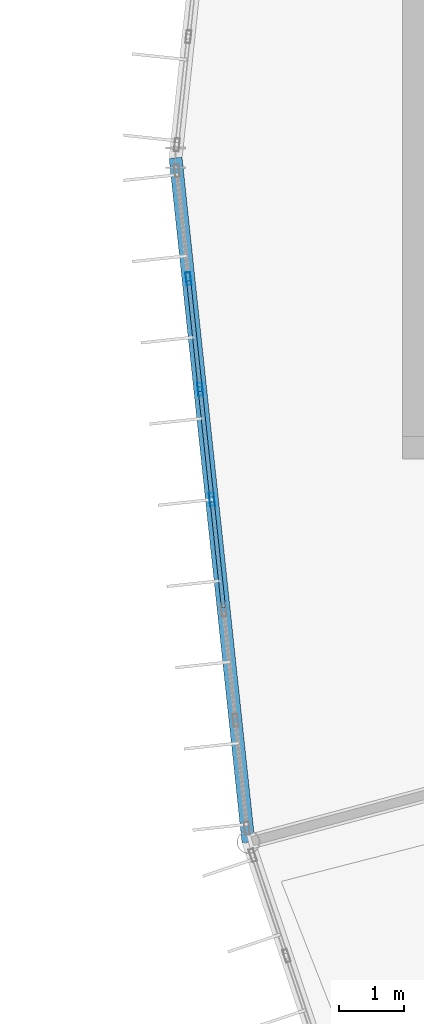
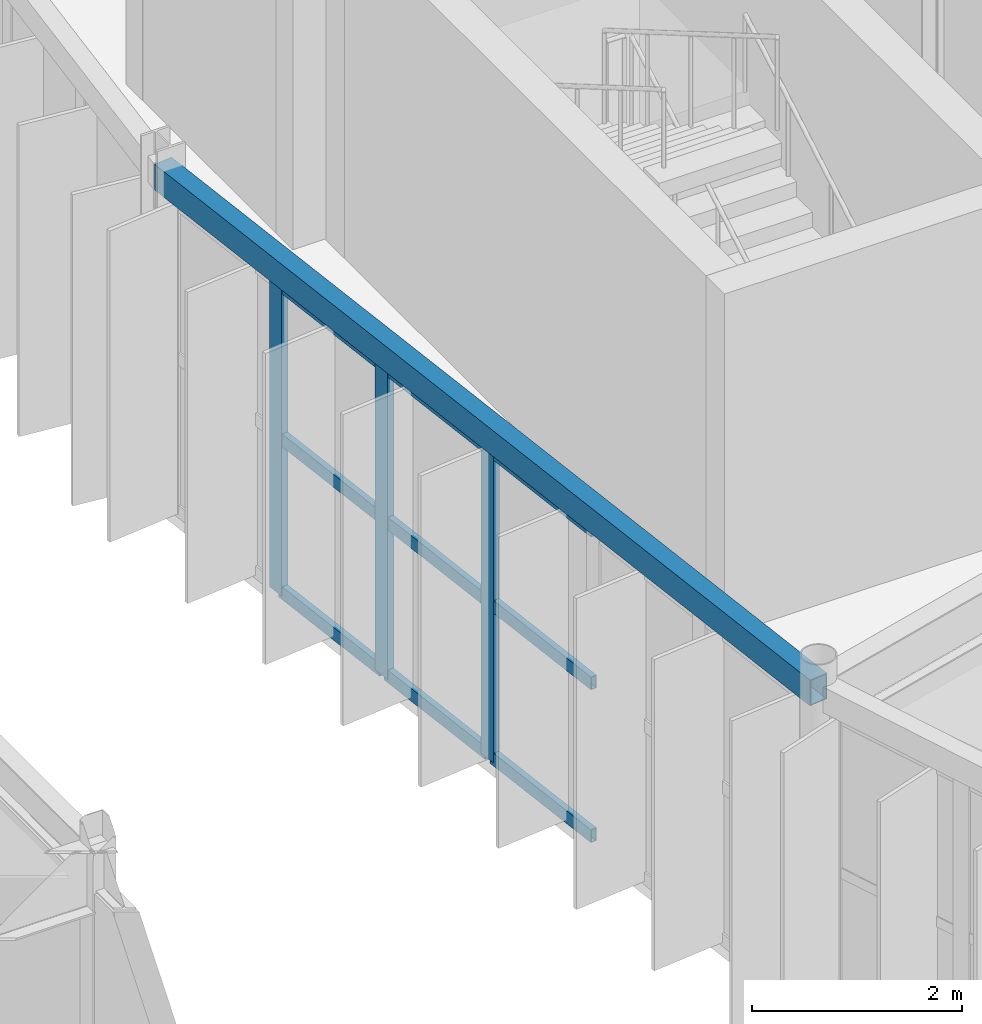
# One storey, part 43 of 148: 12 members, 1 beam, 1 element without a shape of its own.
"""IFC4 building model written with IfcOpenShell, lengths in metres."""

from ifc_helpers import new_model, si_unit, direction, frame, origin, origin_2d, place, context, subcontext, project, spatial, hollow_rectangle, extrude, material, material_profile, profile_set, type_object, element, aggregate, save


model = new_model("IFC4")

# Units and contexts
model_context = context("Model", 3, precision=1e-05, world=origin(), true_north=direction((0.0, 1.0)))
body_context = subcontext(model_context, "Body", "Model", "MODEL_VIEW")
ifc_project = project(units=[si_unit("LENGTHUNIT", "METRE"), si_unit("AREAUNIT", "SQUARE_METRE"), si_unit("VOLUMEUNIT", "CUBIC_METRE"), si_unit("PLANEANGLEUNIT", "RADIAN"), si_unit("MASSUNIT", "GRAM", prefix="KILO")], contexts=[model_context])

# Site, building, storey
site_placement = place(None, origin())
site = spatial("IfcSite", under=ifc_project, at=site_placement, CompositionType="ELEMENT")
building_placement = place(site_placement, origin())
building = spatial("IfcBuilding", under=site, at=building_placement, Name="Karori Crest Natural Sciences Institute", CompositionType="ELEMENT")
storey_placement = place(building_placement, frame((0.0, 0.0, 4.89990234375)))
storey = spatial("IfcBuildingStorey", under=building, at=storey_placement, Name="L01", CompositionType="ELEMENT", Elevation=4.89990234375)

# Beam
ifc_material_1 = material(Name="Hollow structural steel AS/NZS 1163 Grade C350", Category="steel")
ifc_material_profile_1 = material_profile(ifc_material_1, hollow_rectangle(XDim=0.199951171875, YDim=0.300048828125, WallThickness=0.010009765625, at=origin_2d()), Name="RHS300x200x10")
ifc_profile_set_1 = profile_set([ifc_material_profile_1], Name="Hollow structural steel AS/NZS 1163 Grade C350")
beam_type = type_object("IfcBeamType", Name="BT-15", PredefinedType="SPANDREL", material=ifc_profile_set_1)
beam_placement = place(storey_placement, frame((33.39990234375, 49.89990234375, 3.7900390625), z_axis=(0.105891010563, -0.994377742049, 0.0), x_axis=(0.994377742049, 0.105891010563, 0.0)))
element("IfcBeam", 1, at=beam_placement, inside=storey, type_object=beam_type, Name="Beam B-0226", PredefinedType="SPANDREL", context=body_context, shape_type="SweptSolid", body=[
    extrude(hollow_rectangle(XDim=0.199951171875, YDim=0.300048828125, WallThickness=0.010009765625, at=origin_2d()), origin(), (0.0, 0.0, 1.0), 10.61962890625),
])

# Curtain wall, members
ifc_material_2 = material(Name="Anodised architectural aluminium 6063-T6", Category="aluminium")
curtain_wall_type = type_object("IfcCurtainWallType", Name="CWT-03", PredefinedType="NOTDEFINED", material=ifc_material_2)
curtain_wall_placement = place(storey_placement, origin())
curtain_wall = element("IfcCurtainWall", 2, at=curtain_wall_placement, inside=storey, type_object=curtain_wall_type, Name="Curtain wall CW-0048", PredefinedType="NOTDEFINED")
ifc_material_profile_2 = material_profile(ifc_material_2, hollow_rectangle(XDim=0.074951171875, YDim=0.199951171875, WallThickness=0.0048828125, at=origin_2d()), Name="CWM200x75x5")
ifc_profile_set_2 = profile_set([ifc_material_profile_2], Name="Anodised architectural aluminium 6063-T6")
member_type_1 = type_object("IfcMemberType", Name="CWM-02", PredefinedType="MULLION", material=ifc_profile_set_2)
member_1_placement = place(storey_placement, frame((33.96142578125, 44.626708984375, 0.0), z_axis=(0.0, 0.0, 1.0), x_axis=(-0.994378742451, -0.105881615789, 0.0)))
member_1 = element("IfcMember", 3, at=member_1_placement, type_object=member_type_1, Name="CW-0048 mullion 4", PredefinedType="MULLION", context=body_context, shape_type="SweptSolid", body=[
    extrude(hollow_rectangle(XDim=0.074951171875, YDim=0.199951171875, WallThickness=0.0048828125, at=origin_2d()), origin(), (0.0, 0.0, 1.0), 3.625),
])
member_2_placement = place(storey_placement, frame((33.780029296875, 46.33056640625, 0.0), z_axis=(0.0, 0.0, 1.0), x_axis=(-0.994378742451, -0.105881615789, 0.0)))
member_2 = element("IfcMember", 4, at=member_2_placement, type_object=member_type_1, Name="CW-0048 mullion 5", PredefinedType="MULLION", context=body_context, shape_type="SweptSolid", body=[
    extrude(hollow_rectangle(XDim=0.074951171875, YDim=0.199951171875, WallThickness=0.0048828125, at=origin_2d()), origin(), (0.0, 0.0, 1.0), 3.625),
])
member_3_placement = place(storey_placement, frame((33.5986328125, 48.03466796875, 0.0), z_axis=(0.0, 0.0, 1.0), x_axis=(-0.994378742451, -0.105881615789, 0.0)))
member_3 = element("IfcMember", 5, at=member_3_placement, type_object=member_type_1, Name="CW-0048 mullion 6", PredefinedType="MULLION", context=body_context, shape_type="SweptSolid", body=[
    extrude(hollow_rectangle(XDim=0.074951171875, YDim=0.199951171875, WallThickness=0.0048828125, at=origin_2d()), origin(), (0.0, 0.0, 1.0), 3.625),
])
ifc_material_profile_3 = material_profile(ifc_material_2, hollow_rectangle(XDim=0.06494140625, YDim=0.14990234375, WallThickness=0.00390625, at=origin_2d()), Name="CWT150x65x4")
ifc_profile_set_3 = profile_set([ifc_material_profile_3], Name="Anodised architectural aluminium 6063-T6")
member_type_2 = type_object("IfcMemberType", Name="CWT-TR2", PredefinedType="USERDEFINED", material=ifc_profile_set_3)
member_4_placement = place(storey_placement, frame((34.138916015625, 42.960205078125, 0.03271484375), z_axis=(-0.105801729998, 0.994387245458, 0.0), x_axis=(-0.994387245458, -0.105801729998, 0.0)))
member_4 = element("IfcMember", 6, at=member_4_placement, type_object=member_type_2, Name="CW-0048 transom 3.1", ObjectType="TRANSOM", PredefinedType="USERDEFINED", context=body_context, shape_type="SweptSolid", body=[
    extrude(hollow_rectangle(XDim=0.06494140625, YDim=0.14990234375, WallThickness=0.00390625, at=origin_2d()), origin(), (0.0, 0.0, 1.0), 1.638427734375),
])
member_5_placement = place(storey_placement, frame((34.138916015625, 42.960205078125, 1.8125), z_axis=(-0.105801729998, 0.994387245458, 0.0), x_axis=(-0.994387245458, -0.105801729998, 0.0)))
member_5 = element("IfcMember", 7, at=member_5_placement, type_object=member_type_2, Name="CW-0048 transom 3.2", ObjectType="TRANSOM", PredefinedType="USERDEFINED", context=body_context, shape_type="SweptSolid", body=[
    extrude(hollow_rectangle(XDim=0.06494140625, YDim=0.14990234375, WallThickness=0.00390625, at=origin_2d()), origin(), (0.0, 0.0, 1.0), 1.638427734375),
])
member_6_placement = place(storey_placement, frame((34.138916015625, 42.960205078125, 3.592529296875), z_axis=(-0.105801729998, 0.994387245458, 0.0), x_axis=(-0.994387245458, -0.105801729998, 0.0)))
member_6 = element("IfcMember", 8, at=member_6_placement, type_object=member_type_2, Name="CW-0048 transom 3.3", ObjectType="TRANSOM", PredefinedType="USERDEFINED", context=body_context, shape_type="SweptSolid", body=[
    extrude(hollow_rectangle(XDim=0.06494140625, YDim=0.14990234375, WallThickness=0.00390625, at=origin_2d()), origin(), (0.0, 0.0, 1.0), 1.638427734375),
])
member_7_placement = place(storey_placement, frame((33.95751953125, 44.6640625, 0.03271484375), z_axis=(-0.105933378201, 0.994373229418, 0.0), x_axis=(-0.994373229418, -0.105933378201, 0.0)))
member_7 = element("IfcMember", 9, at=member_7_placement, type_object=member_type_2, Name="CW-0048 transom 4.1", ObjectType="TRANSOM", PredefinedType="USERDEFINED", context=body_context, shape_type="SweptSolid", body=[
    extrude(hollow_rectangle(XDim=0.06494140625, YDim=0.14990234375, WallThickness=0.00390625, at=origin_2d()), origin(), (0.0, 0.0, 1.0), 1.638671875),
])
member_8_placement = place(storey_placement, frame((33.95751953125, 44.6640625, 1.8125), z_axis=(-0.105933378201, 0.994373229418, 0.0), x_axis=(-0.994373229418, -0.105933378201, 0.0)))
member_8 = element("IfcMember", 10, at=member_8_placement, type_object=member_type_2, Name="CW-0048 transom 4.2", ObjectType="TRANSOM", PredefinedType="USERDEFINED", context=body_context, shape_type="SweptSolid", body=[
    extrude(hollow_rectangle(XDim=0.06494140625, YDim=0.14990234375, WallThickness=0.00390625, at=origin_2d()), origin(), (0.0, 0.0, 1.0), 1.638671875),
])
member_9_placement = place(storey_placement, frame((33.95751953125, 44.6640625, 3.592529296875), z_axis=(-0.105933378201, 0.994373229418, 0.0), x_axis=(-0.994373229418, -0.105933378201, 0.0)))
member_9 = element("IfcMember", 11, at=member_9_placement, type_object=member_type_2, Name="CW-0048 transom 4.3", ObjectType="TRANSOM", PredefinedType="USERDEFINED", context=body_context, shape_type="SweptSolid", body=[
    extrude(hollow_rectangle(XDim=0.06494140625, YDim=0.14990234375, WallThickness=0.00390625, at=origin_2d()), origin(), (0.0, 0.0, 1.0), 1.638671875),
])
member_10_placement = place(storey_placement, frame((33.776123046875, 46.367919921875, 0.03271484375), z_axis=(-0.105933378201, 0.994373229418, 0.0), x_axis=(-0.994373229418, -0.105933378201, 0.0)))
member_10 = element("IfcMember", 12, at=member_10_placement, type_object=member_type_2, Name="CW-0048 transom 5.1", ObjectType="TRANSOM", PredefinedType="USERDEFINED", context=body_context, shape_type="SweptSolid", body=[
    extrude(hollow_rectangle(XDim=0.06494140625, YDim=0.14990234375, WallThickness=0.00390625, at=origin_2d()), origin(), (0.0, 0.0, 1.0), 1.638671875),
])
member_11_placement = place(storey_placement, frame((33.776123046875, 46.367919921875, 1.8125), z_axis=(-0.105933378201, 0.994373229418, 0.0), x_axis=(-0.994373229418, -0.105933378201, 0.0)))
member_11 = element("IfcMember", 13, at=member_11_placement, type_object=member_type_2, Name="CW-0048 transom 5.2", ObjectType="TRANSOM", PredefinedType="USERDEFINED", context=body_context, shape_type="SweptSolid", body=[
    extrude(hollow_rectangle(XDim=0.06494140625, YDim=0.14990234375, WallThickness=0.00390625, at=origin_2d()), origin(), (0.0, 0.0, 1.0), 1.638671875),
])
member_12_placement = place(storey_placement, frame((33.776123046875, 46.367919921875, 3.592529296875), z_axis=(-0.105933378201, 0.994373229418, 0.0), x_axis=(-0.994373229418, -0.105933378201, 0.0)))
member_12 = element("IfcMember", 14, at=member_12_placement, type_object=member_type_2, Name="CW-0048 transom 5.3", ObjectType="TRANSOM", PredefinedType="USERDEFINED", context=body_context, shape_type="SweptSolid", body=[
    extrude(hollow_rectangle(XDim=0.06494140625, YDim=0.14990234375, WallThickness=0.00390625, at=origin_2d()), origin(), (0.0, 0.0, 1.0), 1.638671875),
])
aggregate(curtain_wall, [member_1, member_2, member_3, member_4, member_5, member_6, member_7, member_8, member_9, member_10, member_11, member_12])

save(model, "model.ifc")
